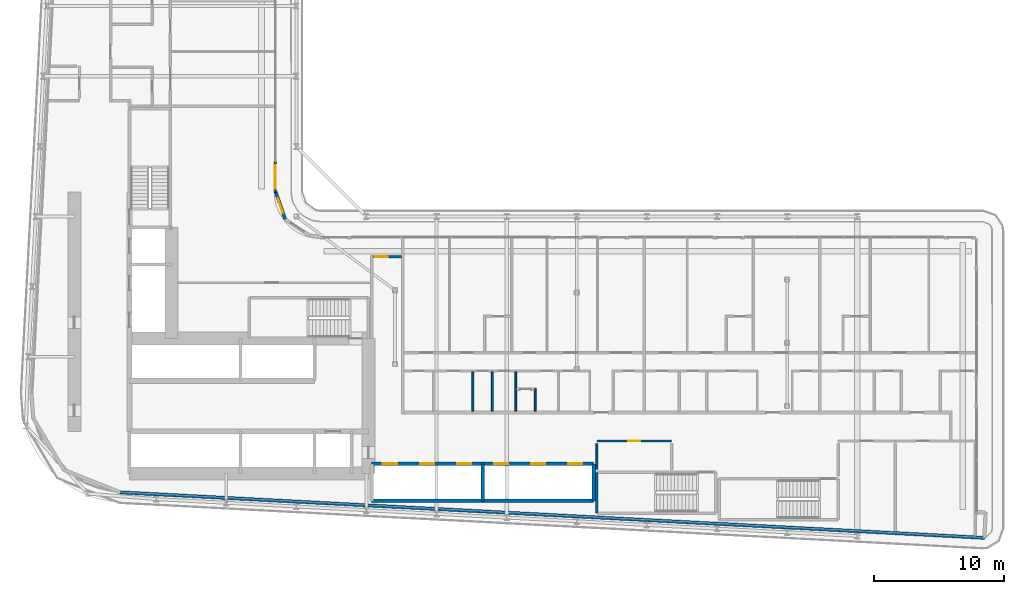
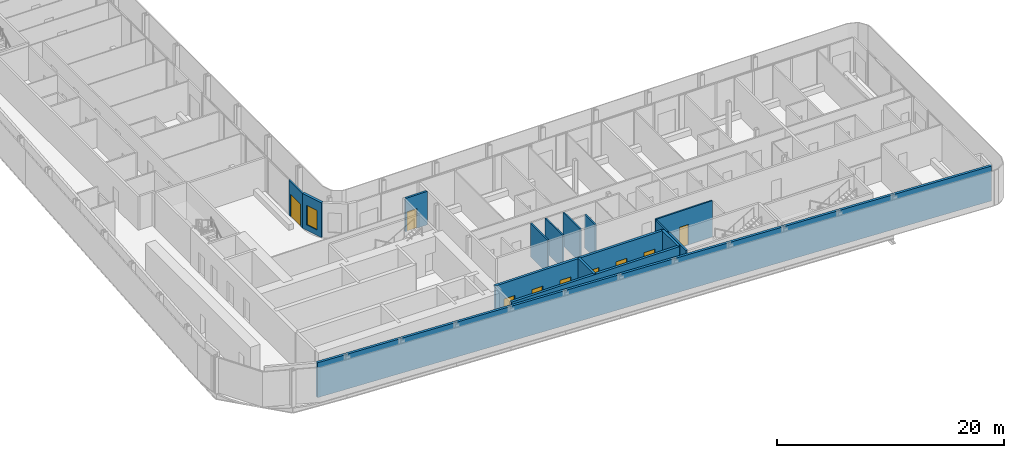
# One storey, part 15 of 29: 15 walls, 9 doors, 1 window, 10 openings.
"""IFC4 building model written with IfcOpenShell, lengths in metres."""

from ifc_helpers import new_model, si_unit, direction, frame, frame_2d, origin, place, context, subcontext, project, spatial, rectangle, extrude, source, transform, mapped, material, layer, layer_set, type_object, element, fill, save


model = new_model("IFC4")

# Units and contexts
model_context = context("Model", 3, precision=1e-05, world=origin(), true_north=direction((0.0, 1.0)))
body_context = subcontext(model_context, "Body", "Model", "MODEL_VIEW")
ifc_project = project(units=[si_unit("LENGTHUNIT", "METRE"), si_unit("AREAUNIT", "SQUARE_METRE"), si_unit("VOLUMEUNIT", "CUBIC_METRE"), si_unit("PLANEANGLEUNIT", "RADIAN"), si_unit("MASSUNIT", "GRAM", prefix="KILO")], contexts=[model_context])

# Site, building, storey
site_placement = place(None, origin())
site = spatial("IfcSite", under=ifc_project, at=site_placement, CompositionType="ELEMENT")
building_placement = place(site_placement, origin())
building = spatial("IfcBuilding", under=site, at=building_placement, Name="Kheshtan School and Residences Tower", CompositionType="ELEMENT")
storey_placement = place(building_placement, frame((0.0, 0.0, 65.60009765625)))
storey = spatial("IfcBuildingStorey", under=building, at=storey_placement, Name="L15", CompositionType="ELEMENT", Elevation=65.60009765625)

# Wall, opening, door
ifc_material_1 = material(Name="Gypsum board on steel studs with fire boards", Category="steel")
ifc_layer_1 = layer(ifc_material_1, 0.199951171875)
ifc_layer_set_1 = layer_set([ifc_layer_1], Name="Corridor wall 200")
wall_type_1 = type_object("IfcWallType", Name="Corridor wall 200", PredefinedType="PARTITIONING", material=ifc_layer_set_1)
wall_1_placement = place(storey_placement, frame((53.5, 42.5, 0.0), z_axis=(0.0, 0.0, 1.0), x_axis=(1.0, 0.0, 0.0)))
wall_1 = element("IfcWall", 1, at=wall_1_placement, inside=storey, type_object=wall_type_1, Name="Partition L15-039", PredefinedType="PARTITIONING", context=body_context, shape_type="SweptSolid", body=[
    extrude(rectangle(XDim=2.199951171875, YDim=0.199951171875, at=frame_2d((1.10009765625, 0.0))), origin(), (0.0, 0.0, 1.0), 3.599853515625),
])
opening_1_placement = place(wall_1_placement, frame((0.14990234375, 0.0, 0.0)))
opening_1 = element("IfcOpeningElement", 2, at=opening_1_placement, cuts=wall_1, Name="Opening D14-058", PredefinedType="OPENING", context=body_context, shape_type="SweptSolid", body=[
    extrude(rectangle(XDim=1.0, YDim=2.10009765625, at=frame_2d((0.5, 1.050048828125))), frame((0.0, 0.10986328125, 0.0), z_axis=(0.0, -1.0, 0.0), x_axis=(1.0, 0.0, 0.0)), (0.0, 0.0, 1.0), 0.219970703125),
])
ifc_material_2 = material(Name="Steel-framed fire-resisting door leaf", Category="steel")
door_type_1 = type_object("IfcDoorType", Name="Fire door FD60 1000 x 2100", OperationType="SINGLE_SWING_LEFT", PredefinedType="DOOR", material=ifc_material_2)
shared_shape_1 = source(origin(), body_context, "Body", "SweptSolid", [
    extrude(rectangle(XDim=1.0, YDim=2.10009765625, at=frame_2d((0.5, 1.050048828125))), frame((0.0, 0.02490234375, 0.0), z_axis=(0.0, -1.0, 0.0), x_axis=(1.0, 0.0, 0.0)), (0.0, 0.0, 1.0), 0.050048828125),
])
door_1_placement = place(opening_1_placement, origin())
door_1 = element("IfcDoor", 3, at=door_1_placement, inside=storey, type_object=door_type_1, Name="Door D14-058", OperationType="SINGLE_SWING_RIGHT", OverallHeight=2.10009765625, OverallWidth=1.0, PredefinedType="DOOR", context=body_context, shape_type="MappedRepresentation", body=[
    mapped(shared_shape_1, transform((0.0, 0.0, 0.0), x_axis=(1.0, 0.0, 0.0), y_axis=(0.0, 1.0, 0.0), z_axis=(0.0, 0.0, 1.0), scale=1.0)),
])
fill(opening_1, door_1)

# Wall, opening, window
ifc_material_3 = material(Name="Concrete C40/50 with ceramic cladding and mineral wool insulation", Category="concrete")
ifc_layer_2 = layer(ifc_material_3, 0.25)
ifc_layer_set_2 = layer_set([ifc_layer_2], Name="External wall 250 ceramic clad")
wall_type_2 = type_object("IfcWallType", Name="External wall 250 ceramic clad", PredefinedType="SOLIDWALL", material=ifc_layer_set_2)
wall_2_placement = place(storey_placement, frame((46.01806640625, 47.470947265625, 0.0), z_axis=(0.0, 0.0, 1.0), x_axis=(0.328791208903, -0.944402637093, 0.0)))
wall_2 = element("IfcWall", 4, at=wall_2_placement, inside=storey, type_object=wall_type_2, Name="External wall L15 9", PredefinedType="SOLIDWALL", context=body_context, shape_type="SweptSolid", body=[
    extrude(rectangle(XDim=2.20458984375, YDim=0.25, at=frame_2d((1.102294921875, 0.0))), origin(), (0.0, 0.0, 1.0), 3.75),
])
opening_2_placement = place(wall_2_placement, frame((0.5029296875, 0.0, 0.60009765625)))
opening_2 = element("IfcOpeningElement", 5, at=opening_2_placement, cuts=wall_2, Name="Opening WN-E", PredefinedType="OPENING", context=body_context, shape_type="SweptSolid", body=[
    extrude(rectangle(XDim=1.199951171875, YDim=2.10009765625, at=frame_2d((0.60009765625, 1.050048828125))), frame((0.0, 0.135009765625, 0.0), z_axis=(0.0, -1.0, 0.0), x_axis=(1.0, 0.0, 0.0)), (0.0, 0.0, 1.0), 0.27001953125),
])
ifc_material_4 = material(Name="Clear low-e glass in thermally broken aluminium frame", Category="aluminium")
window_type = type_object("IfcWindowType", Name="Window WN-E", PartitioningType="SINGLE_PANEL", PredefinedType="WINDOW", material=ifc_material_4)
shared_shape_2 = source(origin(), body_context, "Body", "SweptSolid", [
    extrude(rectangle(XDim=1.199951171875, YDim=2.10009765625, at=frame_2d((0.60009765625, 1.050048828125))), frame((0.0, 0.030029296875, 0.0), z_axis=(0.0, -1.0, 0.0), x_axis=(1.0, 0.0, 0.0)), (0.0, 0.0, 1.0), 0.06005859375),
])
window_placement = place(opening_2_placement, origin())
window = element("IfcWindow", 6, at=window_placement, inside=storey, type_object=window_type, Name="Window L15 9", OverallHeight=2.10009765625, OverallWidth=1.199951171875, PartitioningType="SINGLE_PANEL", PredefinedType="WINDOW", context=body_context, shape_type="MappedRepresentation", body=[
    mapped(shared_shape_2, transform((0.0, 0.0, 0.0), x_axis=(1.0, 0.0, 0.0), y_axis=(0.0, 1.0, 0.0), z_axis=(0.0, 0.0, 1.0), scale=1.0)),
])
fill(opening_2, window)

# Wall
wall_3_placement = place(storey_placement, frame((100.5859375, 20.85009765625, 0.0), z_axis=(0.0, 0.0, 1.0), x_axis=(-0.99861746497, 0.052565755559, 0.0)))
element("IfcWall", 7, at=wall_3_placement, inside=storey, type_object=wall_type_2, Name="External wall L15 16", PredefinedType="SOLIDWALL", context=body_context, shape_type="SweptSolid", body=[
    extrude(rectangle(XDim=66.638916015625, YDim=0.25, at=frame_2d((33.3193359375, 0.0))), origin(), (0.0, 0.0, 1.0), 3.75),
])

# Wall, opening, door
ifc_material_5 = material(Name="Aluminium frame wall with insulated infill", Category="aluminium")
ifc_layer_3 = layer(ifc_material_5, 0.14990234375)
ifc_layer_set_3 = layer_set([ifc_layer_3], Name="Glazing frame wall 150")
wall_type_3 = type_object("IfcWallType", Name="Glazing frame wall 150", PredefinedType="SOLIDWALL", material=ifc_layer_set_3)
wall_4_placement = place(storey_placement, frame((45.97509765625, 49.830078125, 0.0), z_axis=(0.0, 0.0, 1.0), x_axis=(0.0, -1.0, 0.0)))
wall_4 = element("IfcWall", 8, at=wall_4_placement, inside=storey, type_object=wall_type_3, Name="Balcony door wall L15 8.5", PredefinedType="SOLIDWALL", context=body_context, shape_type="SweptSolid", body=[
    extrude(rectangle(XDim=2.400146484375, YDim=0.14990234375, at=frame_2d((1.2001953125, 0.0))), origin(), (0.0, 0.0, 1.0), 3.75),
])
opening_3_placement = place(wall_4_placement, frame((0.300048828125, 0.0, 0.0)))
opening_3 = element("IfcOpeningElement", 9, at=opening_3_placement, cuts=wall_4, Name="Opening BD", PredefinedType="OPENING", context=body_context, shape_type="SweptSolid", body=[
    extrude(rectangle(XDim=1.800048828125, YDim=2.39990234375, at=frame_2d((0.89990234375, 1.199951171875))), frame((0.0, 0.0849609375, 0.0), z_axis=(0.0, -1.0, 0.0), x_axis=(1.0, 0.0, 0.0)), (0.0, 0.0, 1.0), 0.169921875),
])
door_type_2 = type_object("IfcDoorType", Name="Balcony sliding door", OperationType="SLIDING_TO_LEFT", PredefinedType="DOOR", material=ifc_material_4)
shared_shape_3 = source(origin(), body_context, "Body", "SweptSolid", [
    extrude(rectangle(XDim=1.800048828125, YDim=2.39990234375, at=frame_2d((0.89990234375, 1.199951171875))), frame((0.0, 0.02490234375, 0.0), z_axis=(0.0, -1.0, 0.0), x_axis=(1.0, 0.0, 0.0)), (0.0, 0.0, 1.0), 0.050048828125),
])
door_2_placement = place(opening_3_placement, origin())
door_2 = element("IfcDoor", 10, at=door_2_placement, inside=storey, type_object=door_type_2, Name="Balcony door L15 8.5", OperationType="SLIDING_TO_LEFT", OverallHeight=2.39990234375, OverallWidth=1.800048828125, PredefinedType="DOOR", context=body_context, shape_type="MappedRepresentation", body=[
    mapped(shared_shape_3, transform((0.0, 0.0, 0.0), x_axis=(1.0, 0.0, 0.0), y_axis=(0.0, 1.0, 0.0), z_axis=(0.0, 0.0, 1.0), scale=1.0)),
])
fill(opening_3, door_2)

ifc_material_6 = material(Name="Fire-board shaft wall system")
ifc_layer_4 = layer(ifc_material_6, 0.14990234375)
ifc_layer_set_4 = layer_set([ifc_layer_4], Name="Service room wall 150")
wall_type_4 = type_object("IfcWallType", Name="Service room wall 150", PredefinedType="PARTITIONING", material=ifc_layer_set_4)
wall_5_placement = place(storey_placement, frame((70.75, 28.300048828125, 0.0), z_axis=(0.0, 0.0, 1.0), x_axis=(1.0, 0.0, 0.0)))
wall_5 = element("IfcWall", 11, at=wall_5_placement, inside=storey, type_object=wall_type_4, Name="Service room wall", PredefinedType="PARTITIONING", context=body_context, shape_type="SweptSolid", body=[
    extrude(rectangle(XDim=5.760009765625, YDim=0.14990234375, at=frame_2d((2.8798828125, 0.0))), origin(), (0.0, 0.0, 1.0), 3.89990234375),
])
opening_4_placement = place(wall_5_placement, frame((2.429931640625, 0.0, 0.0)))
opening_4 = element("IfcOpeningElement", 12, at=opening_4_placement, cuts=wall_5, Name="Opening SR90", PredefinedType="OPENING", context=body_context, shape_type="SweptSolid", body=[
    extrude(rectangle(XDim=0.89990234375, YDim=2.199951171875, at=frame_2d((0.449951171875, 1.10009765625))), frame((0.0, 0.0849609375, 0.0), z_axis=(0.0, -1.0, 0.0), x_axis=(1.0, 0.0, 0.0)), (0.0, 0.0, 1.0), 0.169921875),
])
ifc_material_7 = material(Name="Steel door leaf, galvanised", Category="steel")
door_type_3 = type_object("IfcDoorType", Name="Service room door 900 steel 90 min", OperationType="SINGLE_SWING_LEFT", PredefinedType="DOOR", material=ifc_material_7)
shared_shape_4 = source(origin(), body_context, "Body", "SweptSolid", [
    extrude(rectangle(XDim=0.89990234375, YDim=2.199951171875, at=frame_2d((0.449951171875, 1.10009765625))), frame((0.0, 0.02490234375, 0.0), z_axis=(0.0, -1.0, 0.0), x_axis=(1.0, 0.0, 0.0)), (0.0, 0.0, 1.0), 0.050048828125),
])
door_3_placement = place(opening_4_placement, origin())
door_3 = element("IfcDoor", 13, at=door_3_placement, inside=storey, type_object=door_type_3, Name="Service room door", OperationType="SINGLE_SWING_LEFT", OverallHeight=2.199951171875, OverallWidth=0.89990234375, PredefinedType="DOOR", context=body_context, shape_type="MappedRepresentation", body=[
    mapped(shared_shape_4, transform((0.0, 0.0, 0.0), x_axis=(1.0, 0.0, 0.0), y_axis=(0.0, 1.0, 0.0), z_axis=(0.0, 0.0, 1.0), scale=1.0)),
])
fill(opening_4, door_3)

# Walls
wall_6_placement = place(storey_placement, frame((70.75, 26.1201171875, 0.0), z_axis=(0.0, 0.0, 1.0), x_axis=(0.0, 1.0, 0.0)))
element("IfcWall", 14, at=wall_6_placement, inside=storey, type_object=wall_type_4, Name="Service room wall", PredefinedType="PARTITIONING", context=body_context, shape_type="SweptSolid", body=[
    extrude(rectangle(XDim=1.98486328125, YDim=0.14990234375, at=frame_2d((0.992431640625, 0.0))), origin(), (0.0, 0.0, 1.0), 3.89990234375),
])
ifc_layer_5 = layer(ifc_material_6, 0.25)
ifc_layer_set_5 = layer_set([ifc_layer_5], Name="Shaft lining wall 250")
wall_type_5 = type_object("IfcWallType", Name="Shaft lining wall 250", PredefinedType="PARTITIONING", material=ifc_layer_set_5)
for number, where, z_axis, x_axis, name in (
    (15, (61.949951171875, 23.699951171875, 0.0), (0.0, 0.0, 1.0), (0.0, 1.0, 0.0), "Shaft lining wall"),
    (16, (70.5, 23.699951171875, 0.0), (0.0, 0.0, 1.0), (0.0, 1.0, 0.0), "Shaft lining wall"),
):
    element("IfcWall", number, at=place(storey_placement, frame(where, z_axis=z_axis, x_axis=x_axis)), inside=storey, type_object=wall_type_5, Name=name, PredefinedType="PARTITIONING", context=body_context, shape_type="SweptSolid", body=[
        extrude(rectangle(XDim=2.85009765625, YDim=0.25, at=frame_2d((1.425048828125, 0.0))), origin(), (0.0, 0.0, 1.0), 3.89990234375),
    ])
wall_7_placement = place(storey_placement, frame((53.39990234375, 23.699951171875, 0.0), z_axis=(0.0, 0.0, 1.0), x_axis=(1.0, 0.0, 0.0)))
element("IfcWall", 17, at=wall_7_placement, inside=storey, type_object=wall_type_5, Name="Shaft lining wall", PredefinedType="PARTITIONING", context=body_context, shape_type="SweptSolid", body=[
    extrude(rectangle(XDim=17.10009765625, YDim=0.25, at=frame_2d((8.550048828125, 0.0))), origin(), (0.0, 0.0, 1.0), 3.89990234375),
])

# Wall, openings, doors
wall_8_placement = place(storey_placement, frame((53.39990234375, 26.550048828125, 0.0), z_axis=(0.0, 0.0, 1.0), x_axis=(1.0, 0.0, 0.0)))
wall_8 = element("IfcWall", 18, at=wall_8_placement, inside=storey, type_object=wall_type_5, Name="Shaft lining wall", PredefinedType="PARTITIONING", context=body_context, shape_type="SweptSolid", body=[
    extrude(rectangle(XDim=17.10009765625, YDim=0.25, at=frame_2d((8.550048828125, 0.0))), origin(), (0.0, 0.0, 1.0), 3.89990234375),
])
opening_5_placement = place(wall_8_placement, frame((0.875, 0.0, 0.0)))
opening_5 = element("IfcOpeningElement", 19, at=opening_5_placement, cuts=wall_8, Name="Opening LD", PredefinedType="OPENING", context=body_context, shape_type="SweptSolid", body=[
    extrude(rectangle(XDim=1.10009765625, YDim=2.199951171875, at=frame_2d((0.550048828125, 1.10009765625))), frame((0.0, 0.135009765625, 0.0), z_axis=(0.0, -1.0, 0.0), x_axis=(1.0, 0.0, 0.0)), (0.0, 0.0, 1.0), 0.27001953125),
])
opening_6_placement = place(wall_8_placement, frame((3.72509765625, 0.0, 0.0)))
opening_6 = element("IfcOpeningElement", 20, at=opening_6_placement, cuts=wall_8, Name="Opening LD", PredefinedType="OPENING", context=body_context, shape_type="SweptSolid", body=[
    extrude(rectangle(XDim=1.10009765625, YDim=2.199951171875, at=frame_2d((0.550048828125, 1.10009765625))), frame((0.0, 0.135009765625, 0.0), z_axis=(0.0, -1.0, 0.0), x_axis=(1.0, 0.0, 0.0)), (0.0, 0.0, 1.0), 0.27001953125),
])
opening_7_placement = place(wall_8_placement, frame((6.574951171875, 0.0, 0.0)))
opening_7 = element("IfcOpeningElement", 21, at=opening_7_placement, cuts=wall_8, Name="Opening LD", PredefinedType="OPENING", context=body_context, shape_type="SweptSolid", body=[
    extrude(rectangle(XDim=1.10009765625, YDim=2.199951171875, at=frame_2d((0.550048828125, 1.10009765625))), frame((0.0, 0.135009765625, 0.0), z_axis=(0.0, -1.0, 0.0), x_axis=(1.0, 0.0, 0.0)), (0.0, 0.0, 1.0), 0.27001953125),
])
opening_8_placement = place(wall_8_placement, frame((9.425048828125, 0.0, 0.0)))
opening_8 = element("IfcOpeningElement", 22, at=opening_8_placement, cuts=wall_8, Name="Opening LD", PredefinedType="OPENING", context=body_context, shape_type="SweptSolid", body=[
    extrude(rectangle(XDim=1.10009765625, YDim=2.199951171875, at=frame_2d((0.550048828125, 1.10009765625))), frame((0.0, 0.135009765625, 0.0), z_axis=(0.0, -1.0, 0.0), x_axis=(1.0, 0.0, 0.0)), (0.0, 0.0, 1.0), 0.27001953125),
])
opening_9_placement = place(wall_8_placement, frame((12.27490234375, 0.0, 0.0)))
opening_9 = element("IfcOpeningElement", 23, at=opening_9_placement, cuts=wall_8, Name="Opening LD", PredefinedType="OPENING", context=body_context, shape_type="SweptSolid", body=[
    extrude(rectangle(XDim=1.10009765625, YDim=2.199951171875, at=frame_2d((0.550048828125, 1.10009765625))), frame((0.0, 0.135009765625, 0.0), z_axis=(0.0, -1.0, 0.0), x_axis=(1.0, 0.0, 0.0)), (0.0, 0.0, 1.0), 0.27001953125),
])
opening_10_placement = place(wall_8_placement, frame((15.125, 0.0, 0.0)))
opening_10 = element("IfcOpeningElement", 24, at=opening_10_placement, cuts=wall_8, Name="Opening LD", PredefinedType="OPENING", context=body_context, shape_type="SweptSolid", body=[
    extrude(rectangle(XDim=1.10009765625, YDim=2.199951171875, at=frame_2d((0.550048828125, 1.10009765625))), frame((0.0, 0.135009765625, 0.0), z_axis=(0.0, -1.0, 0.0), x_axis=(1.0, 0.0, 0.0)), (0.0, 0.0, 1.0), 0.27001953125),
])
ifc_material_8 = material(Name="Stainless steel door leaves", Category="steel")
door_type_4 = type_object("IfcDoorType", Name="Lift landing door 1100", OperationType="SLIDING_TO_LEFT", PredefinedType="DOOR", material=ifc_material_8)
shared_shape_5 = source(origin(), body_context, "Body", "SweptSolid", [
    extrude(rectangle(XDim=1.10009765625, YDim=2.199951171875, at=frame_2d((0.550048828125, 1.10009765625))), frame((0.0, 0.02490234375, 0.0), z_axis=(0.0, -1.0, 0.0), x_axis=(1.0, 0.0, 0.0)), (0.0, 0.0, 1.0), 0.050048828125),
])
door_4_placement = place(opening_5_placement, origin())
door_4 = element("IfcDoor", 25, at=door_4_placement, inside=storey, type_object=door_type_4, Name="Lift P1 landing door", OperationType="SLIDING_TO_LEFT", OverallHeight=2.199951171875, OverallWidth=1.10009765625, PredefinedType="DOOR", context=body_context, shape_type="MappedRepresentation", body=[
    mapped(shared_shape_5, transform((0.0, 0.0, 0.0), x_axis=(1.0, 0.0, 0.0), y_axis=(0.0, 1.0, 0.0), z_axis=(0.0, 0.0, 1.0), scale=1.0)),
])
fill(opening_5, door_4)
door_5_placement = place(opening_6_placement, origin())
door_5 = element("IfcDoor", 26, at=door_5_placement, inside=storey, type_object=door_type_4, Name="Lift P2 landing door", OperationType="SLIDING_TO_LEFT", OverallHeight=2.199951171875, OverallWidth=1.10009765625, PredefinedType="DOOR", context=body_context, shape_type="MappedRepresentation", body=[
    mapped(shared_shape_5, transform((0.0, 0.0, 0.0), x_axis=(1.0, 0.0, 0.0), y_axis=(0.0, 1.0, 0.0), z_axis=(0.0, 0.0, 1.0), scale=1.0)),
])
fill(opening_6, door_5)
door_6_placement = place(opening_7_placement, origin())
door_6 = element("IfcDoor", 27, at=door_6_placement, inside=storey, type_object=door_type_4, Name="Lift P3 landing door", OperationType="SLIDING_TO_LEFT", OverallHeight=2.199951171875, OverallWidth=1.10009765625, PredefinedType="DOOR", context=body_context, shape_type="MappedRepresentation", body=[
    mapped(shared_shape_5, transform((0.0, 0.0, 0.0), x_axis=(1.0, 0.0, 0.0), y_axis=(0.0, 1.0, 0.0), z_axis=(0.0, 0.0, 1.0), scale=1.0)),
])
fill(opening_7, door_6)
door_7_placement = place(opening_8_placement, origin())
door_7 = element("IfcDoor", 28, at=door_7_placement, inside=storey, type_object=door_type_4, Name="Lift P4 landing door", OperationType="SLIDING_TO_LEFT", OverallHeight=2.199951171875, OverallWidth=1.10009765625, PredefinedType="DOOR", context=body_context, shape_type="MappedRepresentation", body=[
    mapped(shared_shape_5, transform((0.0, 0.0, 0.0), x_axis=(1.0, 0.0, 0.0), y_axis=(0.0, 1.0, 0.0), z_axis=(0.0, 0.0, 1.0), scale=1.0)),
])
fill(opening_8, door_7)
door_8_placement = place(opening_9_placement, origin())
door_8 = element("IfcDoor", 29, at=door_8_placement, inside=storey, type_object=door_type_4, Name="Lift P5 landing door", OperationType="SLIDING_TO_LEFT", OverallHeight=2.199951171875, OverallWidth=1.10009765625, PredefinedType="DOOR", context=body_context, shape_type="MappedRepresentation", body=[
    mapped(shared_shape_5, transform((0.0, 0.0, 0.0), x_axis=(1.0, 0.0, 0.0), y_axis=(0.0, 1.0, 0.0), z_axis=(0.0, 0.0, 1.0), scale=1.0)),
])
fill(opening_9, door_8)
door_9_placement = place(opening_10_placement, origin())
door_9 = element("IfcDoor", 30, at=door_9_placement, inside=storey, type_object=door_type_4, Name="Lift P6 landing door", OperationType="SLIDING_TO_LEFT", OverallHeight=2.199951171875, OverallWidth=1.10009765625, PredefinedType="DOOR", context=body_context, shape_type="MappedRepresentation", body=[
    mapped(shared_shape_5, transform((0.0, 0.0, 0.0), x_axis=(1.0, 0.0, 0.0), y_axis=(0.0, 1.0, 0.0), z_axis=(0.0, 0.0, 1.0), scale=1.0)),
])
fill(opening_10, door_9)

# Walls
ifc_material_9 = material(Name="Concrete C40/50", Category="concrete")
ifc_layer_6 = layer(ifc_material_9, 0.199951171875)
ifc_layer_set_6 = layer_set([ifc_layer_6], Name="Stair enclosure wall 200 Concrete C40/50")
wall_type_6 = type_object("IfcWallType", Name="Stair enclosure wall 200 Concrete C40/50", PredefinedType="SHEAR", material=ifc_layer_set_6)
wall_9_placement = place(storey_placement, frame((70.75, 22.75, 0.0), z_axis=(0.0, 0.0, 1.0), x_axis=(0.0, 1.0, 0.0)))
element("IfcWall", 31, at=wall_9_placement, inside=storey, type_object=wall_type_6, Name="Stair enclosure wall ST5", PredefinedType="SHEAR", context=body_context, shape_type="SweptSolid", body=[
    extrude(rectangle(XDim=3.14990234375, YDim=0.199951171875, at=frame_2d((1.574951171875, 0.0))), origin(), (0.0, 0.0, 1.0), 3.89990234375),
])
ifc_material_10 = material(Name="Moisture-resistant gypsum board on steel studs", Category="steel")
ifc_layer_7 = layer(ifc_material_10, 0.14990234375)
ifc_layer_set_7 = layer_set([ifc_layer_7], Name="Wet-room partition 150")
wall_type_7 = type_object("IfcWallType", Name="Wet-room partition 150", PredefinedType="PARTITIONING", material=ifc_layer_set_7)
for number, where, z_axis, x_axis, name in (
    (32, (61.199951171875, 30.60009765625, 0.0), (0.0, 0.0, 1.0), (0.0, 1.0, 0.0), "Partition L15-046"),
    (33, (62.699951171875, 30.60009765625, 0.0), (0.0, 0.0, 1.0), (0.0, 1.0, 0.0), "Partition L15-049"),
    (34, (64.5, 30.60009765625, 0.0), (0.0, 0.0, 1.0), (0.0, 1.0, 0.0), "Partition L15-051"),
):
    element("IfcWall", number, at=place(storey_placement, frame(where, z_axis=z_axis, x_axis=x_axis)), inside=storey, type_object=wall_type_7, Name=name, PredefinedType="PARTITIONING", context=body_context, shape_type="SweptSolid", body=[
        extrude(rectangle(XDim=3.02490234375, YDim=0.14990234375, at=frame_2d((1.512451171875, 0.0))), origin(), (0.0, 0.0, 1.0), 3.599853515625),
    ])
wall_10_placement = place(storey_placement, frame((66.0, 30.60009765625, 0.0), z_axis=(0.0, 0.0, 1.0), x_axis=(0.0, 1.0, 0.0)))
element("IfcWall", 35, at=wall_10_placement, inside=storey, type_object=wall_type_7, Name="Partition L15-053", PredefinedType="PARTITIONING", context=body_context, shape_type="SweptSolid", body=[
    extrude(rectangle(XDim=1.77490234375, YDim=0.14990234375, at=frame_2d((0.887451171875, 0.0))), origin(), (0.0, 0.0, 1.0), 3.599853515625),
])

save(model, "model.ifc")
